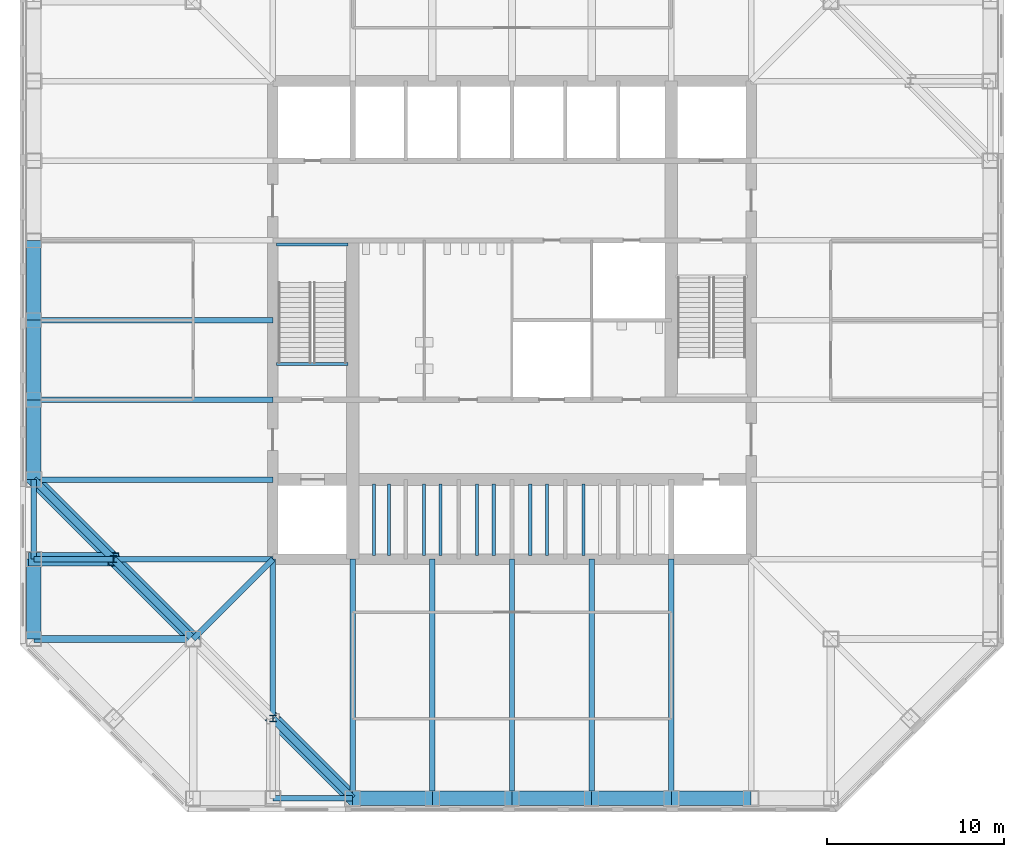
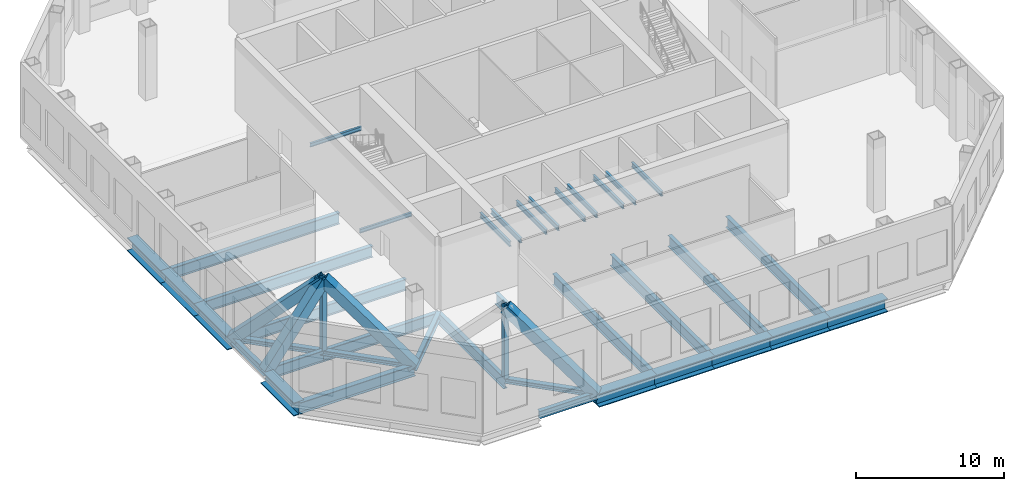
# One storey, part 2 of 11: 38 beams, 6 members.
"""IFC4 building model written with IfcOpenShell, lengths in metres."""

from ifc_helpers import new_model, si_unit, direction, frame, origin, origin_2d, place, context, subcontext, project, spatial, hollow_rectangle, i_section, extrude, material, material_profile, profile_set, type_object, element, save


model = new_model("IFC4")

# Units and contexts
model_context = context("Model", 3, precision=1e-05, world=origin(), true_north=direction((0.0, 1.0)))
body_context = subcontext(model_context, "Body", "Model", "MODEL_VIEW")
ifc_project = project(units=[si_unit("LENGTHUNIT", "METRE"), si_unit("AREAUNIT", "SQUARE_METRE"), si_unit("VOLUMEUNIT", "CUBIC_METRE"), si_unit("PLANEANGLEUNIT", "RADIAN"), si_unit("MASSUNIT", "GRAM", prefix="KILO")], contexts=[model_context])

# Site, building, storey
site_placement = place(None, origin())
site = spatial("IfcSite", under=ifc_project, at=site_placement, CompositionType="ELEMENT")
building_placement = place(site_placement, origin())
building = spatial("IfcBuilding", under=site, at=building_placement, Name="Corais Broadcast Tower", CompositionType="ELEMENT")
storey_placement = place(building_placement, frame((0.0, 0.0, 104.60009765625)))
storey = spatial("IfcBuildingStorey", under=building, at=storey_placement, Name="L23", CompositionType="ELEMENT", Elevation=104.60009765625)

# Beams
ifc_material_1 = material(Name="Steel ASTM A572 Grade 50", Category="steel")
ifc_material_profile_1 = material_profile(ifc_material_1, i_section(OverallWidth=0.323974609375, OverallDepth=0.611083984375, WebThickness=0.0126953125, FlangeThickness=0.01904296875, at=origin_2d()), Name="W610x155")
ifc_profile_set_1 = profile_set([ifc_material_profile_1], Name="Steel ASTM A572 Grade 50")
beam_type_1 = type_object("IfcBeamType", Name="Corner diagonal W610x155", PredefinedType="BEAM", material=ifc_profile_set_1)
beam_1_placement = place(storey_placement, frame((9.0, 9.0, -0.505615234375), z_axis=(0.707106781187, 0.707106781187, 0.0), x_axis=(-0.707106781187, 0.707106781187, 0.0)))
element("IfcBeam", 1, at=beam_1_placement, inside=storey, type_object=beam_type_1, Name="B6 C/5 to D/6", PredefinedType="BEAM", context=body_context, shape_type="SweptSolid", body=[
    extrude(i_section(OverallWidth=0.323974609375, OverallDepth=0.611083984375, WebThickness=0.0126953125, FlangeThickness=0.01904296875, at=origin_2d()), origin(), (0.0, 0.0, 1.0), 6.364013671875),
])
ifc_material_2 = material(Name="Steel ASTM A572 Grade 50", Category="steel")
ifc_material_profile_2 = material_profile(ifc_material_2, i_section(OverallWidth=0.1650390625, OverallDepth=0.31005859375, WebThickness=0.005859375, FlangeThickness=0.009765625, at=origin_2d()), Name="W310x38.7")
ifc_profile_set_2 = profile_set([ifc_material_profile_2], Name="Steel ASTM A572 Grade 50")
beam_type_2 = type_object("IfcBeamType", Name="Landing trimmer W310x38.7", PredefinedType="BEAM", material=ifc_profile_set_2)
for number, where, z_axis, x_axis, name in (
    (2, (13.699951171875, 24.52490234375, -0.35498046875), (1.0, 0.0, 0.0), (0.0, 1.0, 0.0), "LT1 stair A landing trimmer L23"),
    (3, (13.699951171875, 31.260009765625, 2.64501953125), (1.0, 0.0, 0.0), (0.0, 1.0, 0.0), "LT1 stair A half landing trimmer L23"),
):
    element("IfcBeam", number, at=place(storey_placement, frame(where, z_axis=z_axis, x_axis=x_axis)), inside=storey, type_object=beam_type_2, Name=name, PredefinedType="BEAM", context=body_context, shape_type="SweptSolid", body=[
        extrude(i_section(OverallWidth=0.1650390625, OverallDepth=0.31005859375, WebThickness=0.005859375, FlangeThickness=0.009765625, at=origin_2d()), origin(), (0.0, 0.0, 1.0), 4.050048828125),
    ])
ifc_material_3 = material(Name="Steel ASTM A572 Grade 50", Category="steel")
ifc_material_profile_3 = material_profile(ifc_material_3, i_section(OverallWidth=0.323974609375, OverallDepth=0.611083984375, WebThickness=0.0126953125, FlangeThickness=0.01904296875, at=origin_2d()), Name="W610x155")
ifc_profile_set_3 = profile_set([ifc_material_profile_3], Name="Steel ASTM A572 Grade 50")
beam_type_3 = type_object("IfcBeamType", Name="Pinned spandrel W610x155", PredefinedType="BEAM", material=ifc_profile_set_3)
for number, where, z_axis, x_axis, name in (
    (4, (0.0, 18.0, -0.505615234375), (0.0, -1.0, 0.0), (1.0, 0.0, 0.0), "SB6 E/3 to D/3"),
    (5, (13.5, 0.0, -0.505615234375), (1.0, 0.0, 0.0), (0.0, 1.0, 0.0), "SB6 A/6 to A/7"),
):
    element("IfcBeam", number, at=place(storey_placement, frame(where, z_axis=z_axis, x_axis=x_axis)), inside=storey, type_object=beam_type_3, Name=name, PredefinedType="BEAM", context=body_context, shape_type="SweptSolid", body=[
        extrude(i_section(OverallWidth=0.323974609375, OverallDepth=0.611083984375, WebThickness=0.0126953125, FlangeThickness=0.01904296875, at=origin_2d()), origin(), (0.0, 0.0, 1.0), 4.5),
    ])
ifc_material_4 = material(Name="Steel ASTM A572 Grade 50", Category="steel")
ifc_material_profile_4 = material_profile(ifc_material_4, i_section(OverallWidth=0.177978515625, OverallDepth=0.406982421875, WebThickness=0.0078125, FlangeThickness=0.0126953125, at=origin_2d()), Name="W410x60")
ifc_profile_set_4 = profile_set([ifc_material_profile_4], Name="Steel ASTM A572 Grade 50")
beam_type_4 = type_object("IfcBeamType", Name="Pit beam W410x60", PredefinedType="BEAM", material=ifc_profile_set_4)
for number, where, z_axis, x_axis, name in (
    (6, (19.199951171875, 13.699951171875, 3.1962890625), (0.0, 1.0, 0.0), (-1.0, 0.0, 0.0), "B15 lift pit beam D/7 +1200 +300"),
    (7, (20.050048828125, 13.699951171875, 3.1962890625), (0.0, 1.0, 0.0), (-1.0, 0.0, 0.0), "B15 lift pit beam D/7 +2050 +300"),
    (8, (22.033203125, 13.699951171875, 3.1962890625), (0.0, 1.0, 0.0), (-1.0, 0.0, 0.0), "B15 lift pit beam D/8 -467 +300"),
    (9, (22.966796875, 13.699951171875, 3.1962890625), (0.0, 1.0, 0.0), (-1.0, 0.0, 0.0), "B15 lift pit beam D/8 +467 +300"),
    (10, (25.033203125, 13.699951171875, 3.1962890625), (0.0, 1.0, 0.0), (-1.0, 0.0, 0.0), "B15 lift pit beam D/9 -1967 +300"),
    (11, (25.966796875, 13.699951171875, 3.1962890625), (0.0, 1.0, 0.0), (-1.0, 0.0, 0.0), "B15 lift pit beam D/9 -1033 +300"),
    (12, (28.033203125, 13.699951171875, 3.1962890625), (0.0, 1.0, 0.0), (-1.0, 0.0, 0.0), "B15 lift pit beam D/9 +1033 +300"),
    (13, (28.966796875, 13.699951171875, 3.1962890625), (0.0, 1.0, 0.0), (-1.0, 0.0, 0.0), "B15 lift pit beam D/9 +1967 +300"),
    (14, (31.033203125, 13.699951171875, 3.1962890625), (0.0, 1.0, 0.0), (-1.0, 0.0, 0.0), "B15 lift pit beam D/10 -467 +300"),
):
    element("IfcBeam", number, at=place(storey_placement, frame(where, z_axis=z_axis, x_axis=x_axis)), inside=storey, type_object=beam_type_4, Name=name, PredefinedType="BEAM", context=body_context, shape_type="SweptSolid", body=[
        extrude(i_section(OverallWidth=0.177978515625, OverallDepth=0.406982421875, WebThickness=0.0078125, FlangeThickness=0.0126953125, at=origin_2d()), origin(), (0.0, 0.0, 1.0), 4.050048828125),
    ])
ifc_material_5 = material(Name="Steel ASTM A572 Grade 50", Category="steel")
ifc_material_profile_5 = material_profile(ifc_material_5, i_section(OverallWidth=0.30908203125, OverallDepth=0.931884765625, WebThickness=0.02099609375, FlangeThickness=0.034423828125, at=origin_2d()), Name="W920x313")
ifc_profile_set_5 = profile_set([ifc_material_profile_5], Name="Steel ASTM A572 Grade 50")
beam_type_5 = type_object("IfcBeamType", Name="Plant floor beam W920x313", PredefinedType="BEAM", material=ifc_profile_set_5)
beam_2_placement = place(storey_placement, frame((0.0, 13.5, -0.666015625), z_axis=(1.0, 0.0, 0.0), x_axis=(0.0, 1.0, 0.0)))
element("IfcBeam", 15, at=beam_2_placement, inside=storey, type_object=beam_type_5, Name="B17 D/3 to D/4", PredefinedType="BEAM", context=body_context, shape_type="SweptSolid", body=[
    extrude(i_section(OverallWidth=0.30908203125, OverallDepth=0.931884765625, WebThickness=0.02099609375, FlangeThickness=0.034423828125, at=origin_2d()), origin(), (0.0, 0.0, 1.0), 4.5),
])
for number, where, z_axis, x_axis, name in (
    (16, (0.0, 18.0, -0.666015625), (1.0, 0.0, 0.0), (0.0, 1.0, 0.0), "B17 E/3 to E/6"),
    (17, (0.0, 22.5, -0.666015625), (1.0, 0.0, 0.0), (0.0, 1.0, 0.0), "B17 F/3 to F/6"),
    (18, (0.0, 27.0, -0.666015625), (1.0, 0.0, 0.0), (0.0, 1.0, 0.0), "B17 G/3 to G/6"),
):
    element("IfcBeam", number, at=place(storey_placement, frame(where, z_axis=z_axis, x_axis=x_axis)), inside=storey, type_object=beam_type_5, Name=name, PredefinedType="BEAM", context=body_context, shape_type="SweptSolid", body=[
        extrude(i_section(OverallWidth=0.30908203125, OverallDepth=0.931884765625, WebThickness=0.02099609375, FlangeThickness=0.034423828125, at=origin_2d()), origin(), (0.0, 0.0, 1.0), 13.5),
    ])
beam_3_placement = place(storey_placement, frame((13.5, 4.5, -0.666015625), z_axis=(0.0, 1.0, 0.0), x_axis=(-1.0, 0.0, 0.0)))
element("IfcBeam", 19, at=beam_3_placement, inside=storey, type_object=beam_type_5, Name="B17 B/6 to D/6", PredefinedType="BEAM", context=body_context, shape_type="SweptSolid", body=[
    extrude(i_section(OverallWidth=0.30908203125, OverallDepth=0.931884765625, WebThickness=0.02099609375, FlangeThickness=0.034423828125, at=origin_2d()), origin(), (0.0, 0.0, 1.0), 9.0),
])
for number, where, z_axis, x_axis, name in (
    (20, (18.0, 0.0, -0.666015625), (0.0, 1.0, 0.0), (-1.0, 0.0, 0.0), "B17 A/7 to D/7"),
    (21, (22.5, 0.0, -0.666015625), (0.0, 1.0, 0.0), (-1.0, 0.0, 0.0), "B17 A/8 to D/8"),
    (22, (27.0, 0.0, -0.666015625), (0.0, 1.0, 0.0), (-1.0, 0.0, 0.0), "B17 A/9 to D/9"),
    (23, (31.5, 0.0, -0.666015625), (0.0, 1.0, 0.0), (-1.0, 0.0, 0.0), "B17 A/10 to D/10"),
    (24, (36.0, 0.0, -0.666015625), (0.0, 1.0, 0.0), (-1.0, 0.0, 0.0), "B17 A/11 to D/11"),
):
    element("IfcBeam", number, at=place(storey_placement, frame(where, z_axis=z_axis, x_axis=x_axis)), inside=storey, type_object=beam_type_5, Name=name, PredefinedType="BEAM", context=body_context, shape_type="SweptSolid", body=[
        extrude(i_section(OverallWidth=0.30908203125, OverallDepth=0.931884765625, WebThickness=0.02099609375, FlangeThickness=0.034423828125, at=origin_2d()), origin(), (0.0, 0.0, 1.0), 13.5),
    ])
beam_4_placement = place(storey_placement, frame((4.5, 13.5, -0.666015625), z_axis=(1.0, 0.0, 0.0), x_axis=(0.0, 1.0, 0.0)))
element("IfcBeam", 25, at=beam_4_placement, inside=storey, type_object=beam_type_5, Name="B17 D/4 to D/6", PredefinedType="BEAM", context=body_context, shape_type="SweptSolid", body=[
    extrude(i_section(OverallWidth=0.30908203125, OverallDepth=0.931884765625, WebThickness=0.02099609375, FlangeThickness=0.034423828125, at=origin_2d()), origin(), (0.0, 0.0, 1.0), 9.0),
])
ifc_material_6 = material(Name="Steel ASTM A572 Grade 50", Category="steel")
ifc_material_profile_6 = material_profile(ifc_material_6, i_section(OverallWidth=0.40087890625, OverallDepth=0.386962890625, WebThickness=0.02099609375, FlangeThickness=0.033203125, at=origin_2d()), Name="W360x262")
ifc_profile_set_6 = profile_set([ifc_material_profile_6], Name="Steel ASTM A572 Grade 50")
beam_type_6 = type_object("IfcBeamType", Name="Transfer chord W360x262", PredefinedType="BEAM", material=ifc_profile_set_6)
for number, where, z_axis, x_axis, name in (
    (26, (18.0, 0.0, -0.3935546875), (-0.707106781187, 0.707106781187, 0.0), (-0.707106781187, -0.707106781187, 0.0), "TC1 A/7 to B/6"),
    (27, (4.5, 13.5, -0.3935546875), (-0.707106781187, 0.707106781187, 0.0), (-0.707106781187, -0.707106781187, 0.0), "TC1 D/4 to E/3"),
    (28, (9.0, 9.0, -0.3935546875), (-0.707106781187, 0.707106781187, 0.0), (-0.707106781187, -0.707106781187, 0.0), "TC1 C/5 to D/4"),
):
    element("IfcBeam", number, at=place(storey_placement, frame(where, z_axis=z_axis, x_axis=x_axis)), inside=storey, type_object=beam_type_6, Name=name, PredefinedType="BEAM", context=body_context, shape_type="SweptSolid", body=[
        extrude(i_section(OverallWidth=0.40087890625, OverallDepth=0.386962890625, WebThickness=0.02099609375, FlangeThickness=0.033203125, at=origin_2d()), origin(), (0.0, 0.0, 1.0), 6.364013671875),
    ])
ifc_material_7 = material(Name="Steel ASTM A572 Grade 50", Category="steel")
ifc_material_profile_7 = material_profile(ifc_material_7, i_section(OverallWidth=0.408935546875, OverallDepth=0.927001953125, WebThickness=0.0166015625, FlangeThickness=0.030029296875, at=origin_2d()), Name="W920x289")
ifc_profile_set_7 = profile_set([ifc_material_profile_7], Name="Steel ASTM A572 Grade 50")
beam_type_7 = type_object("IfcBeamType", Name="Transfer corner girder W920x289", PredefinedType="BEAM", material=ifc_profile_set_7)
beam_5_placement = place(storey_placement, frame((0.0, 9.0, -0.66357421875), z_axis=(1.0, 0.0, 0.0), x_axis=(0.0, 1.0, 0.0)))
element("IfcBeam", 29, at=beam_5_placement, inside=storey, type_object=beam_type_7, Name="B14 C/3 to C/5", PredefinedType="BEAM", context=body_context, shape_type="SweptSolid", body=[
    extrude(i_section(OverallWidth=0.408935546875, OverallDepth=0.927001953125, WebThickness=0.0166015625, FlangeThickness=0.030029296875, at=origin_2d()), origin(), (0.0, 0.0, 1.0), 9.0),
])
ifc_material_8 = material(Name="Steel ASTM A572 Grade 50", Category="steel")
ifc_material_profile_8 = material_profile(ifc_material_8, i_section(OverallWidth=0.800048828125, OverallDepth=1.10009765625, WebThickness=0.030029296875, FlangeThickness=0.070068359375, at=origin_2d()), Name="PG1100x1105")
ifc_profile_set_8 = profile_set([ifc_material_profile_8], Name="Steel ASTM A572 Grade 50")
beam_type_8 = type_object("IfcBeamType", Name="Transfer spandrel PG1100x1105", PredefinedType="BEAM", material=ifc_profile_set_8)
for number, where, z_axis, x_axis, name in (
    (30, (0.0, 13.5, -0.75), (0.0, -1.0, 0.0), (1.0, 0.0, 0.0), "SB8 D/3 to C/3"),
    (31, (0.0, 22.5, -0.75), (0.0, -1.0, 0.0), (1.0, 0.0, 0.0), "SB8 F/3 to E/3"),
    (32, (0.0, 27.0, -0.75), (0.0, -1.0, 0.0), (1.0, 0.0, 0.0), "SB8 G/3 to F/3"),
    (33, (0.0, 31.5, -0.75), (0.0, -1.0, 0.0), (1.0, 0.0, 0.0), "SB8 H/3 to G/3"),
    (34, (18.0, 0.0, -0.75), (1.0, 0.0, 0.0), (0.0, 1.0, 0.0), "SB8 A/7 to A/8"),
    (35, (22.5, 0.0, -0.75), (1.0, 0.0, 0.0), (0.0, 1.0, 0.0), "SB8 A/8 to A/9"),
    (36, (27.0, 0.0, -0.75), (1.0, 0.0, 0.0), (0.0, 1.0, 0.0), "SB8 A/9 to A/10"),
    (37, (31.5, 0.0, -0.75), (1.0, 0.0, 0.0), (0.0, 1.0, 0.0), "SB8 A/10 to A/11"),
    (38, (36.0, 0.0, -0.75), (1.0, 0.0, 0.0), (0.0, 1.0, 0.0), "SB8 A/11 to A/12"),
):
    element("IfcBeam", number, at=place(storey_placement, frame(where, z_axis=z_axis, x_axis=x_axis)), inside=storey, type_object=beam_type_8, Name=name, PredefinedType="BEAM", context=body_context, shape_type="SweptSolid", body=[
        extrude(i_section(OverallWidth=0.800048828125, OverallDepth=1.10009765625, WebThickness=0.030029296875, FlangeThickness=0.070068359375, at=origin_2d()), origin(), (0.0, 0.0, 1.0), 4.5),
    ])

# Members
ifc_material_9 = material(Name="Steel ASTM A572 Grade 50", Category="steel")
ifc_material_profile_9 = material_profile(ifc_material_9, hollow_rectangle(XDim=0.75, YDim=0.75, WallThickness=0.0400390625, at=origin_2d()), Name="BOX 750x750x40")
ifc_profile_set_9 = profile_set([ifc_material_profile_9], Name="Steel ASTM A572 Grade 50")
member_type_1 = type_object("IfcMemberType", Name="Transfer truss diagonal BOX 750x750x40", PredefinedType="BRACE", material=ifc_profile_set_9)
for number, where, z_axis, x_axis, name in (
    (39, (18.0, 0.0, -0.3935546875), (-0.51368847143, 0.51368847143, 0.687203251331), (-0.707106781187, -0.707106781187, 0.0), "TD1 transfer truss diagonal SW"),
    (40, (9.0, 9.0, -0.3935546875), (-0.51368847143, 0.51368847143, 0.687203251331), (-0.707106781187, -0.707106781187, 0.0), "TD1 transfer truss diagonal SW"),
    (41, (0.0, 18.0, -0.3935546875), (0.51368847143, -0.51368847143, 0.687203251331), (0.707106781187, 0.707106781187, 0.0), "TD1 transfer truss diagonal SW"),
):
    element("IfcMember", number, at=place(storey_placement, frame(where, z_axis=z_axis, x_axis=x_axis)), inside=storey, type_object=member_type_1, Name=name, PredefinedType="BRACE", context=body_context, shape_type="SweptSolid", body=[
        extrude(hollow_rectangle(XDim=0.75, YDim=0.75, WallThickness=0.0400390625, at=origin_2d()), origin(), (0.0, 0.0, 1.0), 8.76025390625),
    ])
member_placement = place(storey_placement, frame((0.0, 13.5, -0.3935546875), z_axis=(0.598720715582, 0.0, 0.800957867015), x_axis=(0.0, 1.0, 0.0)))
element("IfcMember", 42, at=member_placement, inside=storey, type_object=member_type_1, Name="TD1 transfer truss diagonal SW", PredefinedType="BRACE", context=body_context, shape_type="SweptSolid", body=[
    extrude(hollow_rectangle(XDim=0.75, YDim=0.75, WallThickness=0.0400390625, at=origin_2d()), origin(), (0.0, 0.0, 1.0), 7.51611328125),
])
ifc_material_10 = material(Name="Steel ASTM A572 Grade 50", Category="steel")
ifc_material_profile_10 = material_profile(ifc_material_10, i_section(OverallWidth=0.373046875, OverallDepth=0.367919921875, WebThickness=0.014892578125, FlangeThickness=0.02392578125, at=origin_2d()), Name="W360x179")
ifc_profile_set_10 = profile_set([ifc_material_profile_10], Name="Steel ASTM A572 Grade 50")
member_type_2 = type_object("IfcMemberType", Name="Transfer truss post W360x179", PredefinedType="POST", material=ifc_profile_set_10)
for number, where, z_axis, x_axis, name in (
    (43, (13.5, 4.5, -0.2001953125), (0.0, 0.0, 1.0), (1.0, 0.0, 0.0), "TP1 transfer truss post SW"),
    (44, (4.5, 13.5, -0.2001953125), (0.0, 0.0, 1.0), (1.0, 0.0, 0.0), "TP1 transfer truss post SW"),
):
    element("IfcMember", number, at=place(storey_placement, frame(where, z_axis=z_axis, x_axis=x_axis)), inside=storey, type_object=member_type_2, Name=name, PredefinedType="POST", context=body_context, shape_type="SweptSolid", body=[
        extrude(i_section(OverallWidth=0.373046875, OverallDepth=0.367919921875, WebThickness=0.014892578125, FlangeThickness=0.02392578125, at=origin_2d()), origin(), (0.0, 0.0, 1.0), 6.02001953125),
    ])

save(model, "model.ifc")
